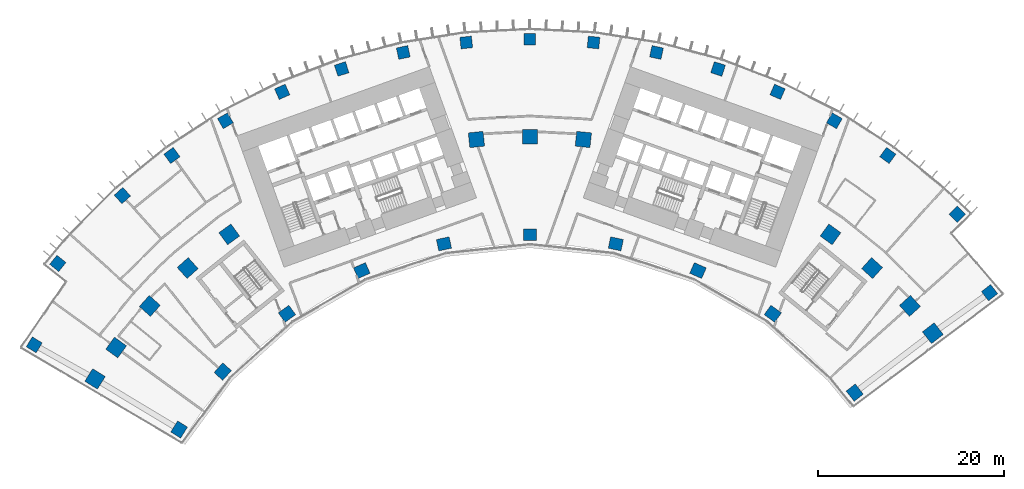
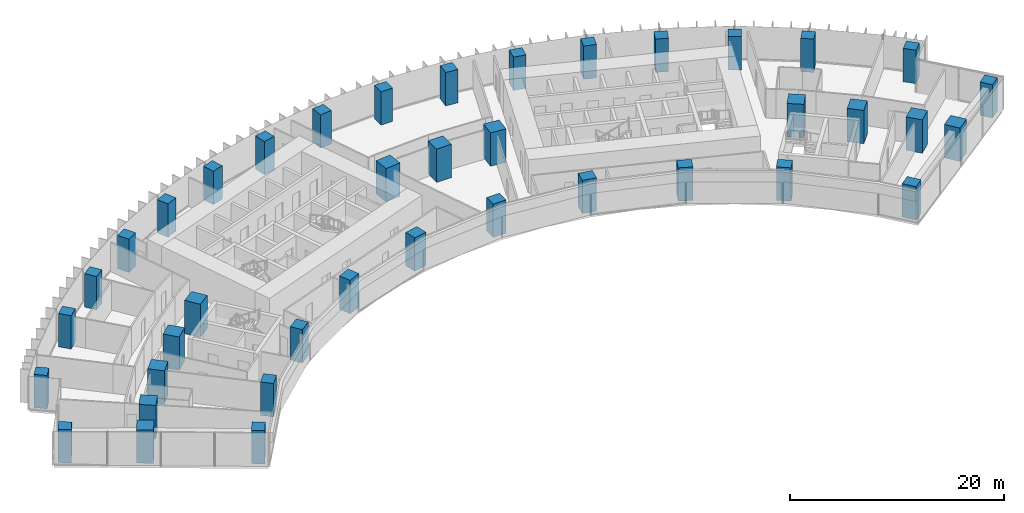
# One storey, part 1 of 24: 40 columns.
"""IFC4 building model written with IfcOpenShell, lengths in metres."""

from ifc_helpers import new_model, si_unit, direction, frame, origin, origin_2d, place, context, subcontext, project, spatial, rectangle, extrude, material, material_profile, profile_set, type_object, element, save


model = new_model("IFC4")

# Units and contexts
model_context = context("Model", 3, precision=1e-05, world=origin(), true_north=direction((0.0, 1.0)))
body_context = subcontext(model_context, "Body", "Model", "MODEL_VIEW")
ifc_project = project(units=[si_unit("LENGTHUNIT", "METRE"), si_unit("AREAUNIT", "SQUARE_METRE"), si_unit("VOLUMEUNIT", "CUBIC_METRE"), si_unit("PLANEANGLEUNIT", "RADIAN"), si_unit("MASSUNIT", "GRAM", prefix="KILO")], contexts=[model_context])

# Site, building, storey
site_placement = place(None, origin())
site = spatial("IfcSite", under=ifc_project, at=site_placement, CompositionType="ELEMENT")
building_placement = place(site_placement, origin())
building = spatial("IfcBuilding", under=site, at=building_placement, Name="Stone Belt Terrace Tower", CompositionType="ELEMENT")
storey_placement = place(building_placement, frame((0.0, 0.0, 75.60009765625)))
storey = spatial("IfcBuildingStorey", under=building, at=storey_placement, Name="L18", CompositionType="ELEMENT", Elevation=75.60009765625)

# Columns
ifc_material = material(Name="Concrete B80", Category="concrete")
ifc_material_profile_1 = material_profile(ifc_material, rectangle(XDim=1.25, YDim=1.25, at=origin_2d()), Name="RC 1250x1250")
ifc_profile_set_1 = profile_set([ifc_material_profile_1], Name="Concrete B80")
column_type_1 = type_object("IfcColumnType", Name="Column RC 1250x1250 B80", PredefinedType="COLUMN", material=ifc_profile_set_1)
for number, where, z_axis, x_axis, name in (
    (1, (-53.30078125, 32.6171875, 0.0), (0.0, 0.0, 1.0), (0.521967198123, 0.852965558556, 0.0), "Column L18 RA"),
    (2, (49.432861328125, 38.226318359375, 0.0), (0.0, 0.0, 1.0), (0.611730019057, -0.791066611472, 0.0), "Column L18 RB"),
    (3, (-50.7646484375, 41.373046875, 0.0), (0.0, 0.0, 1.0), (0.631758757508, 0.775165061333, 0.0), "Column L18 RNA"),
    (4, (-43.820556640625, 48.667724609375, 0.0), (0.0, 0.0, 1.0), (0.743144825477, 0.669130606359, 0.0), "Column L18 R15"),
    (5, (-38.493408203125, 52.981689453125, 0.0), (0.0, 0.0, 1.0), (0.809016994375, 0.587785252292, 0.0), "Column L18 R16"),
    (6, (-32.744384765625, 56.715087890625, 0.0), (0.0, 0.0, 1.0), (0.866025403784, 0.5, 0.0), "Column L18 R17"),
    (7, (-26.63671875, 59.8271484375, 0.0), (0.0, 0.0, 1.0), (0.913545457643, 0.406736643076, 0.0), "Column L18 R18"),
    (8, (-20.2373046875, 62.28369140625, 0.0), (0.0, 0.0, 1.0), (0.951056516295, 0.309016994375, 0.0), "Column L18 R19"),
    (9, (-13.615966796875, 64.057861328125, 0.0), (0.0, 0.0, 1.0), (0.978147600734, 0.207911690818, 0.0), "Column L18 R20"),
    (10, (-6.845458984375, 65.130126953125, 0.0), (0.0, 0.0, 1.0), (0.994521895368, 0.104528463268, 0.0), "Column L18 R21"),
    (11, (0.0, 65.489013671875, 0.0), (0.0, 0.0, 1.0), (1.0, 0.0, 0.0), "Column L18 R22"),
    (12, (6.845458984375, 65.130126953125, 0.0), (0.0, 0.0, 1.0), (0.994521895368, -0.104528463268, 0.0), "Column L18 R23"),
    (13, (13.615966796875, 64.057861328125, 0.0), (0.0, 0.0, 1.0), (0.978147600734, -0.207911690818, 0.0), "Column L18 R24"),
    (14, (20.2373046875, 62.28369140625, 0.0), (0.0, 0.0, 1.0), (0.951056516295, -0.309016994375, 0.0), "Column L18 R25"),
    (15, (26.63671875, 59.8271484375, 0.0), (0.0, 0.0, 1.0), (0.913545457643, -0.406736643076, 0.0), "Column L18 R26"),
    (16, (32.744384765625, 56.715087890625, 0.0), (0.0, 0.0, 1.0), (0.866025403784, -0.5, 0.0), "Column L18 R27"),
    (17, (38.493408203125, 52.981689453125, 0.0), (0.0, 0.0, 1.0), (0.809016994375, -0.587785252292, 0.0), "Column L18 R28"),
    (18, (45.95849609375, 46.654296875, 0.0), (0.0, 0.0, 1.0), (0.712398494182, -0.701775167334, 0.0), "Column L18 RNB"),
):
    element("IfcColumn", number, at=place(storey_placement, frame(where, z_axis=z_axis, x_axis=x_axis)), inside=storey, type_object=column_type_1, Name=name, PredefinedType="COLUMN", context=body_context, shape_type="SweptSolid", body=[
        extrude(rectangle(XDim=1.25, YDim=1.25, at=origin_2d()), origin(), (0.0, 0.0, 1.0), 3.7998046875),
    ])
ifc_material_profile_2 = material_profile(ifc_material, rectangle(XDim=1.39990234375, YDim=1.25, at=origin_2d()), Name="RC 1400x1250")
ifc_profile_set_2 = profile_set([ifc_material_profile_2], Name="Concrete B80")
column_type_2 = type_object("IfcColumnType", Name="Column RC 1400x1250 B80", PredefinedType="COLUMN", material=ifc_profile_set_2)
for number, where, z_axis, x_axis, name in (
    (19, (-37.718017578125, 23.510009765625, 0.0), (0.0, 0.0, 1.0), (0.528967211548, 0.84864226215, 0.0), "Column L18 PA"),
    (20, (-33.029052734375, 29.739501953125, 0.0), (0.0, 0.0, 1.0), (0.669130606359, 0.743144825477, 0.0), "Column L18 P14"),
    (21, (-26.1240234375, 35.956787109375, 0.0), (0.0, 0.0, 1.0), (0.809016994375, 0.587785252292, 0.0), "Column L18 P16"),
    (22, (-18.077392578125, 40.6025390625, 0.0), (0.0, 0.0, 1.0), (0.913545457643, 0.406736643076, 0.0), "Column L18 P18"),
    (23, (-9.240478515625, 43.473876953125, 0.0), (0.0, 0.0, 1.0), (0.978147600734, 0.207911690818, 0.0), "Column L18 P20"),
    (24, (0.0, 44.445068359375, 0.0), (0.0, 0.0, 1.0), (1.0, 0.0, 0.0), "Column L18 P22"),
    (25, (9.240478515625, 43.473876953125, 0.0), (0.0, 0.0, 1.0), (0.978147600734, -0.207911690818, 0.0), "Column L18 P24"),
    (26, (18.077392578125, 40.6025390625, 0.0), (0.0, 0.0, 1.0), (0.913545457643, -0.406736643076, 0.0), "Column L18 P26"),
    (27, (26.1240234375, 35.956787109375, 0.0), (0.0, 0.0, 1.0), (0.809016994375, -0.587785252292, 0.0), "Column L18 P28"),
    (28, (34.93408203125, 27.476806640625, 0.0), (0.0, 0.0, 1.0), (0.618217727677, -0.786006896399, 0.0), "Column L18 PB"),
):
    element("IfcColumn", number, at=place(storey_placement, frame(where, z_axis=z_axis, x_axis=x_axis)), inside=storey, type_object=column_type_2, Name=name, PredefinedType="COLUMN", context=body_context, shape_type="SweptSolid", body=[
        extrude(rectangle(XDim=1.39990234375, YDim=1.25, at=origin_2d()), origin(), (0.0, 0.0, 1.0), 3.7998046875),
    ])
ifc_material_profile_3 = material_profile(ifc_material, rectangle(XDim=1.60009765625, YDim=1.60009765625, at=origin_2d()), Name="RC 1600x1600")
ifc_profile_set_3 = profile_set([ifc_material_profile_3], Name="Concrete B80")
column_type_3 = type_object("IfcColumnType", Name="Column RC 1600x1600 B80", PredefinedType="COLUMN", material=ifc_profile_set_3)
for number, where, z_axis, x_axis, name in (
    (29, (-46.763671875, 28.951171875, 0.0), (0.0, 0.0, 1.0), (0.526383105721, 0.850247508677, 0.0), "Column L18 QA"),
    (30, (-44.495849609375, 32.328125, 0.0), (0.0, 0.0, 1.0), (0.587785252292, 0.809016994375, 0.0), "Column L18 Q13"),
    (31, (-40.873046875, 36.80224609375, 0.0), (0.0, 0.0, 1.0), (0.669130606359, 0.743144825477, 0.0), "Column L18 Q14"),
    (32, (-36.80224609375, 40.873046875, 0.0), (0.0, 0.0, 1.0), (0.743144825477, 0.669130606359, 0.0), "Column L18 Q15"),
    (33, (-32.328125, 44.495849609375, 0.0), (0.0, 0.0, 1.0), (0.809016994375, 0.587785252292, 0.0), "Column L18 Q16"),
    (34, (-5.7490234375, 54.69873046875, 0.0), (0.0, 0.0, 1.0), (0.994521895368, 0.104528463268, 0.0), "Column L18 Q21"),
    (35, (0.0, 55.0, 0.0), (0.0, 0.0, 1.0), (1.0, 0.0, 0.0), "Column L18 Q22"),
    (36, (5.7490234375, 54.69873046875, 0.0), (0.0, 0.0, 1.0), (0.994521895368, -0.104528463268, 0.0), "Column L18 Q23"),
    (37, (32.328125, 44.495849609375, 0.0), (0.0, 0.0, 1.0), (0.809016994375, -0.587785252292, 0.0), "Column L18 Q28"),
    (38, (36.80224609375, 40.873046875, 0.0), (0.0, 0.0, 1.0), (0.743144825477, -0.669130606359, 0.0), "Column L18 Q29"),
    (39, (40.873046875, 36.80224609375, 0.0), (0.0, 0.0, 1.0), (0.669130606359, -0.743144825477, 0.0), "Column L18 Q30"),
    (40, (43.33349609375, 33.870361328125, 0.0), (0.0, 0.0, 1.0), (0.615825127294, -0.787882867306, 0.0), "Column L18 QB"),
):
    element("IfcColumn", number, at=place(storey_placement, frame(where, z_axis=z_axis, x_axis=x_axis)), inside=storey, type_object=column_type_3, Name=name, PredefinedType="COLUMN", context=body_context, shape_type="SweptSolid", body=[
        extrude(rectangle(XDim=1.60009765625, YDim=1.60009765625, at=origin_2d()), origin(), (0.0, 0.0, 1.0), 3.7998046875),
    ])

save(model, "model.ifc")
